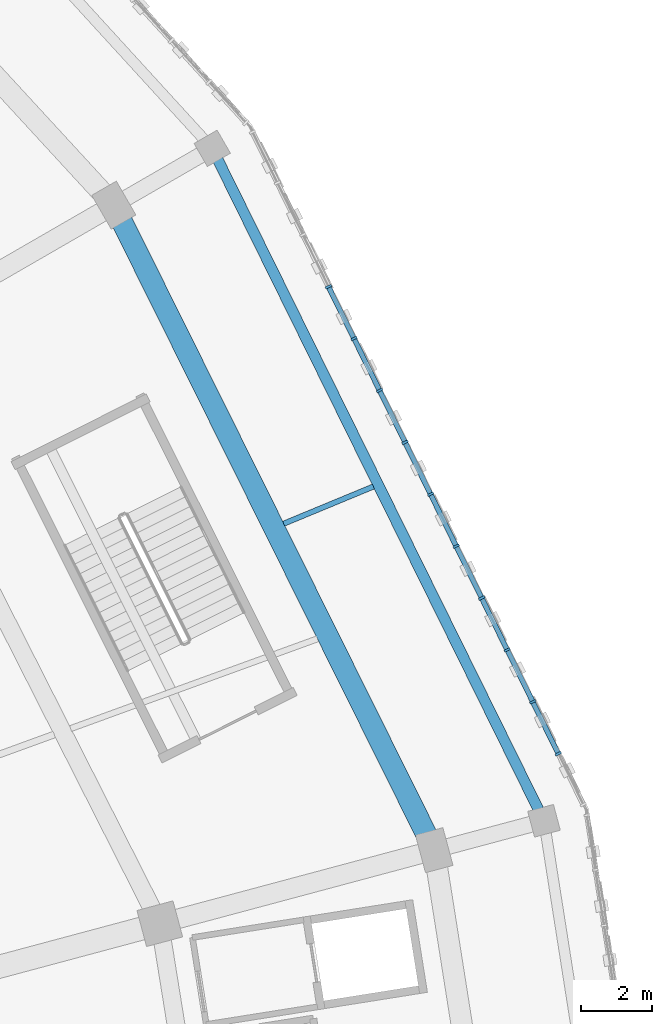
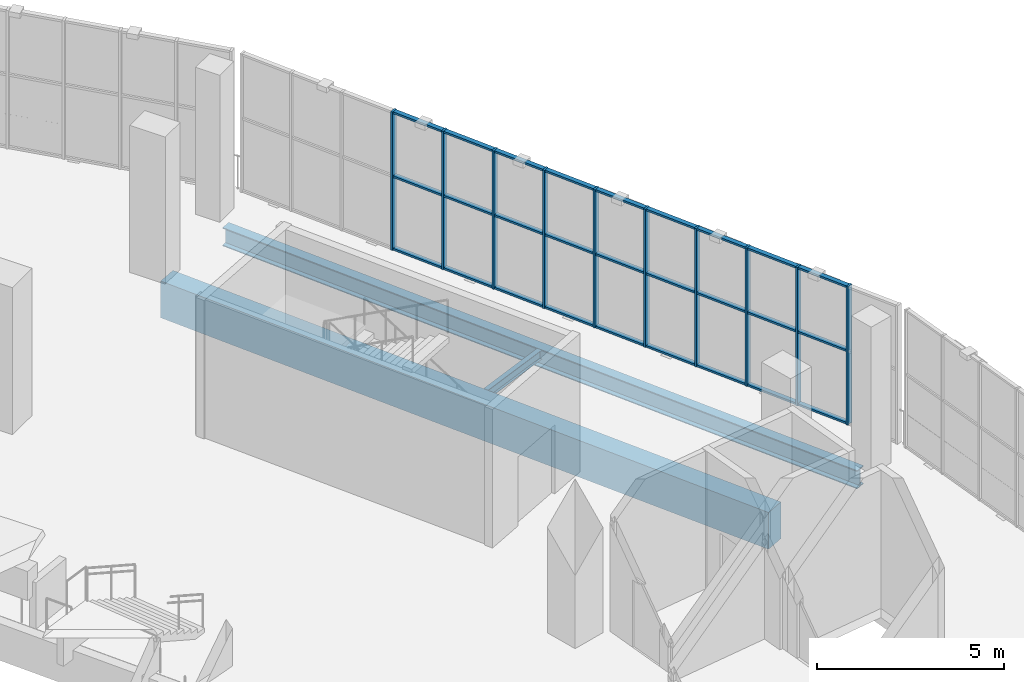
# One storey, part 42 of 183: 37 members, 3 beams, 1 element without a shape of its own.
"""IFC4 building model written with IfcOpenShell, lengths in metres."""

import ifcopenshell
import ifcopenshell.guid

model = None  # the IFC model being written
_history = None  # IfcOwnerHistory: only IFC2X3 demands one
_inside = {}  # id of a spatial element -> (the spatial element, [elements in it])
_under = {}  # id of a project, library or spatial element -> (it, [spatial elements below it])
_declared = {}  # id of a project -> (the project, [libraries it declares])
_typed = {}  # id of a type object -> (the type object, [elements of that type])
_made_of = {}  # id of a material, layer set ... -> (it, [elements and type objects made of it])


def new_model(schema):
    """Start an empty IFC model of exactly this schema.

    Asked for "IFC4X3", IfcOpenShell would pick the latest addendum, in which some entities
    have other attributes; the version numbers below select the first issue.
    IFC2X3 requires an IfcOwnerHistory on every rooted entity: one is made here for all.
    """
    global model, _history
    if schema == "IFC4X3":
        model = ifcopenshell.file(schema_version=(4, 3, 0, 0))
    else:
        model = ifcopenshell.file(schema=schema)
    _inside.clear()
    _under.clear()
    _declared.clear()
    _typed.clear()
    _made_of.clear()
    _history = None
    if model.schema == "IFC2X3":
        org = make("IfcOrganization", Name="unknown")
        user = make(
            "IfcPersonAndOrganization",
            ThePerson=make("IfcPerson", FamilyName="unknown"),
            TheOrganization=org,
        )
        app = make(
            "IfcApplication",
            ApplicationDeveloper=org,
            Version="unknown",
            ApplicationFullName="unknown",
            ApplicationIdentifier="unknown",
        )
        _history = make(
            "IfcOwnerHistory",
            OwningUser=user,
            OwningApplication=app,
            ChangeAction="ADDED",
            CreationDate=0,
        )
    return model


def make(cls, **values):
    """One entity of the class cls with the attributes given. An attribute that is None is left unset."""
    return model.create_entity(
        cls, **{name: value for name, value in values.items() if value is not None}
    )


def rooted(cls, **values):
    """An entity with a GlobalId (a new one), such as an element, a storey or a relation."""
    return make(cls, GlobalId=ifcopenshell.guid.new(), OwnerHistory=_history, **values)


def si_unit(unit_type, name, prefix=None):
    """IfcSIUnit, for example si_unit("LENGTHUNIT", "METRE", prefix="MILLI")."""
    return make("IfcSIUnit", UnitType=unit_type, Prefix=prefix, Name=name)


def assignment(units):
    """IfcUnitAssignment: the units of a project."""
    return None if units is None else make("IfcUnitAssignment", Units=units)


def point(xyz):
    """IfcCartesianPoint."""
    return None if xyz is None else make("IfcCartesianPoint", Coordinates=xyz)


def direction(xyz):
    """IfcDirection."""
    return None if xyz is None else make("IfcDirection", DirectionRatios=xyz)


def frame(location, z_axis=None, x_axis=None):
    """IfcAxis2Placement3D, a coordinate frame: its origin and axes. An axis left out is left unset."""
    return make(
        "IfcAxis2Placement3D",
        Location=point(location),
        Axis=direction(z_axis),
        RefDirection=direction(x_axis),
    )


def frame_2d(location, x_axis=None):
    """IfcAxis2Placement2D, a coordinate frame in the plane: its origin and x axis."""
    return make(
        "IfcAxis2Placement2D", Location=point(location), RefDirection=direction(x_axis)
    )


def origin():
    """The frame at (0, 0, 0) with its axes left unset."""
    return frame((0.0, 0.0, 0.0))


def origin_2d():
    """The frame at (0, 0) in the plane with its x axis left unset."""
    return frame_2d((0.0, 0.0))


def place(relative_to, where):
    """IfcLocalPlacement: puts the frame where relative to a parent placement (None: the world)."""
    return make(
        "IfcLocalPlacement", PlacementRelTo=relative_to, RelativePlacement=where
    )


def context(
    kind, dimensions, precision=None, world=None, true_north=None, identifier=None
):
    """IfcGeometricRepresentationContext, for example the 3D "Model" context."""
    return make(
        "IfcGeometricRepresentationContext",
        ContextIdentifier=identifier,
        ContextType=kind,
        CoordinateSpaceDimension=dimensions,
        Precision=precision,
        WorldCoordinateSystem=world,
        TrueNorth=true_north,
    )


def subcontext(parent, identifier, kind, view, scale=None):
    """IfcGeometricRepresentationSubContext, for example "Body" below "Model"."""
    return make(
        "IfcGeometricRepresentationSubContext",
        ContextIdentifier=identifier,
        ContextType=kind,
        ParentContext=parent,
        TargetScale=scale,
        TargetView=view,
    )


def project(units=None, contexts=None):
    """IfcProject with its units and contexts."""
    return rooted(
        "IfcProject",
        Name="project",
        RepresentationContexts=contexts,
        UnitsInContext=assignment(units),
    )


def spatial(cls, under=None, at=None, **own):
    """A site, building, storey or space (cls), placed at a placement, below another one or the project."""
    s = rooted(cls, ObjectPlacement=at, **own)
    if under is not None:
        _under.setdefault(under.id(), (under, []))[1].append(s)
    return s


def profile(cls, at=None, kind="AREA", **sizes):
    """A parametric profile (cls). Its sizes go by their IFC names, for example OverallWidth=200.0."""
    return make(cls, ProfileType=kind, Position=at, **sizes)


def rectangle(**sizes):
    """IfcRectangleProfileDef."""
    return profile("IfcRectangleProfileDef", **sizes)


def i_section(**sizes):
    """IfcIShapeProfileDef."""
    return profile("IfcIShapeProfileDef", **sizes)


def extrude(swept, where, along, depth):
    """IfcExtrudedAreaSolid: the profile swept, set in the frame where, extruded along a direction by depth."""
    return make(
        "IfcExtrudedAreaSolid",
        SweptArea=swept,
        Position=where,
        ExtrudedDirection=direction(along),
        Depth=depth,
    )


def shape(context_of_items, identifier, shape_type, items):
    """IfcShapeRepresentation: the items that make up one representation, for example the "Body"."""
    return make(
        "IfcShapeRepresentation",
        ContextOfItems=context_of_items,
        RepresentationIdentifier=identifier,
        RepresentationType=shape_type,
        Items=items,
    )


def material(Name=None, Category=None):
    """IfcMaterial."""
    return make("IfcMaterial", Name=Name, Category=Category)


def material_profile(
    of_material, cross_section, Name=None, Category=None, Priority=None
):
    """IfcMaterialProfile: a cross section and its material."""
    return make(
        "IfcMaterialProfile",
        Name=Name,
        Material=of_material,
        Profile=cross_section,
        Priority=Priority,
        Category=Category,
    )


def profile_set(profiles, Name=None, composite=None):
    """IfcMaterialProfileSet."""
    return make(
        "IfcMaterialProfileSet",
        Name=Name,
        MaterialProfiles=profiles,
        CompositeProfile=composite,
    )


def made_of(thing, what):
    """Note that an element or type object is made of a material, layer set ...; save() writes the relation."""
    if what is not None:
        _made_of.setdefault(what.id(), (what, []))[1].append(thing)
    return thing


def type_object(cls, material=None, **own):
    """A type object (cls), such as IfcWallType, which elements share."""
    return made_of(rooted(cls, **own), material)


def element(
    cls,
    number,
    at=None,
    inside=None,
    cuts=None,
    type_object=None,
    material=None,
    context=None,
    identifier="Body",
    shape_type=None,
    held_by="IfcProductDefinitionShape",
    body=None,
    shapes=None,
    **own,
):
    """One element of the class cls, such as IfcWall. Its Tag is "e" and its number.

    at: its placement. inside: the storey or other place that contains it. cuts: it is an
    opening in that element (IfcRelVoidsElement). A single representation is given by context,
    identifier, shape_type and body (its items); several are given by shapes. held_by: the class
    of the entity that holds the representations. save() writes the other relations.
    """
    e = rooted(cls, Tag="e%d" % number, ObjectPlacement=at, **own)
    if body is not None:
        shapes = [shape(context, identifier, shape_type, body)]
    if shapes is not None:
        e.Representation = make(held_by, Representations=shapes)
    if inside is not None:
        _inside.setdefault(inside.id(), (inside, []))[1].append(e)
    if cuts is not None:
        rooted(
            "IfcRelVoidsElement", RelatingBuildingElement=cuts, RelatedOpeningElement=e
        )
    if type_object is not None:
        _typed.setdefault(type_object.id(), (type_object, []))[1].append(e)
    return made_of(e, material)


def aggregate(whole, parts):
    """IfcRelAggregates: a whole, such as a stair, and the parts it consists of."""
    return rooted("IfcRelAggregates", RelatingObject=whole, RelatedObjects=parts)


def save(model, path):
    """Write the relations noted so far, then the file.

    IfcRelAggregates (storeys below a building ...), IfcRelContainedInSpatialStructure (elements
    in a storey), IfcRelDefinesByType, IfcRelAssociatesMaterial and IfcRelDeclares: one each for
    every whole, place, type object, material and project.
    """
    for whole, parts in _under.values():
        aggregate(whole, parts)
    for where, things in _inside.values():
        rooted(
            "IfcRelContainedInSpatialStructure",
            RelatedElements=things,
            RelatingStructure=where,
        )
    for kind, things in _typed.values():
        rooted("IfcRelDefinesByType", RelatedObjects=things, RelatingType=kind)
    for what, things in _made_of.values():
        rooted("IfcRelAssociatesMaterial", RelatedObjects=things, RelatingMaterial=what)
    for by, libraries in _declared.values():
        rooted("IfcRelDeclares", RelatingContext=by, RelatedDefinitions=libraries)
    model.write(path)


model = new_model("IFC4")

# Units and contexts
model_context = context("Model", 3, precision=1e-05, world=origin(), true_north=direction((0.0, 1.0)))
body_context = subcontext(model_context, "Body", "Model", "MODEL_VIEW")
ifc_project = project(units=[si_unit("LENGTHUNIT", "METRE"), si_unit("AREAUNIT", "SQUARE_METRE"), si_unit("VOLUMEUNIT", "CUBIC_METRE"), si_unit("PLANEANGLEUNIT", "RADIAN"), si_unit("MASSUNIT", "GRAM", prefix="KILO")], contexts=[model_context])

# Site, building, storey
site_placement = place(None, origin())
site = spatial("IfcSite", under=ifc_project, at=site_placement, CompositionType="ELEMENT")
building_placement = place(site_placement, origin())
building = spatial("IfcBuilding", under=site, at=building_placement, Name="Zevraka Park Crest Stadium", CompositionType="ELEMENT")
storey_placement = place(building_placement, frame((0.0, 0.0, 5.39990234375)))
storey = spatial("IfcBuildingStorey", under=building, at=storey_placement, Name="L01", CompositionType="ELEMENT", Elevation=5.39990234375)

# Curtain wall, members
ifc_material_1 = material(Name="Anodised architectural aluminium and laminated safety glass", Category="aluminium")
curtain_wall_type = type_object("IfcCurtainWallType", Name="CW02", PredefinedType="NOTDEFINED", material=ifc_material_1)
curtain_wall_placement = place(storey_placement, origin())
curtain_wall = element("IfcCurtainWall", 1, at=curtain_wall_placement, inside=storey, type_object=curtain_wall_type, Name="Unitised Ring Curtain Wall CW02 L01-01", PredefinedType="NOTDEFINED")
ifc_material_2 = material(Name="Anodised architectural aluminium", Category="aluminium")
ifc_material_profile_1 = material_profile(ifc_material_2, rectangle(XDim=0.179931640625, YDim=0.06494140625, at=origin_2d()), Name="ALU MULLION 180x65")
ifc_profile_set_1 = profile_set([ifc_material_profile_1], Name="Anodised architectural aluminium")
member_type_1 = type_object("IfcMemberType", Name="CM02", PredefinedType="MULLION", material=ifc_profile_set_1)
member_1_placement = place(storey_placement, frame((202.717041015625, 114.205078125, 0.0), z_axis=(0.0, 0.0, 1.0), x_axis=(-0.897252732312, -0.44151730924, 0.0)))
member_1 = element("IfcMember", 2, at=member_1_placement, type_object=member_type_1, Name="CW02 mullion 2", PredefinedType="MULLION", context=body_context, shape_type="SweptSolid", body=[
    extrude(rectangle(XDim=0.179931640625, YDim=0.06494140625, at=origin_2d()), origin(), (0.0, 0.0, 1.0), 4.52001953125),
])
member_2_placement = place(storey_placement, frame((201.998046875, 115.666259765625, 0.0), z_axis=(0.0, 0.0, 1.0), x_axis=(-0.897252732312, -0.44151730924, 0.0)))
member_2 = element("IfcMember", 3, at=member_2_placement, type_object=member_type_1, Name="CW02 mullion 3", PredefinedType="MULLION", context=body_context, shape_type="SweptSolid", body=[
    extrude(rectangle(XDim=0.179931640625, YDim=0.06494140625, at=origin_2d()), origin(), (0.0, 0.0, 1.0), 4.52001953125),
])
member_3_placement = place(storey_placement, frame((201.279052734375, 117.12744140625, 0.0), z_axis=(0.0, 0.0, 1.0), x_axis=(-0.897252732312, -0.44151730924, 0.0)))
member_3 = element("IfcMember", 4, at=member_3_placement, type_object=member_type_1, Name="CW02 mullion 4", PredefinedType="MULLION", context=body_context, shape_type="SweptSolid", body=[
    extrude(rectangle(XDim=0.179931640625, YDim=0.06494140625, at=origin_2d()), origin(), (0.0, 0.0, 1.0), 4.52001953125),
])
member_4_placement = place(storey_placement, frame((200.56005859375, 118.588623046875, 0.0), z_axis=(0.0, 0.0, 1.0), x_axis=(-0.897252732312, -0.44151730924, 0.0)))
member_4 = element("IfcMember", 5, at=member_4_placement, type_object=member_type_1, Name="CW02 mullion 5", PredefinedType="MULLION", context=body_context, shape_type="SweptSolid", body=[
    extrude(rectangle(XDim=0.179931640625, YDim=0.06494140625, at=origin_2d()), origin(), (0.0, 0.0, 1.0), 4.52001953125),
])
member_5_placement = place(storey_placement, frame((199.841064453125, 120.0498046875, 0.0), z_axis=(0.0, 0.0, 1.0), x_axis=(-0.897252732312, -0.44151730924, 0.0)))
member_5 = element("IfcMember", 6, at=member_5_placement, type_object=member_type_1, Name="CW02 mullion 6", PredefinedType="MULLION", context=body_context, shape_type="SweptSolid", body=[
    extrude(rectangle(XDim=0.179931640625, YDim=0.06494140625, at=origin_2d()), origin(), (0.0, 0.0, 1.0), 4.52001953125),
])
member_6_placement = place(storey_placement, frame((199.1220703125, 121.510986328125, 0.0), z_axis=(0.0, 0.0, 1.0), x_axis=(-0.897252732312, -0.44151730924, 0.0)))
member_6 = element("IfcMember", 7, at=member_6_placement, type_object=member_type_1, Name="CW02 mullion 7", PredefinedType="MULLION", context=body_context, shape_type="SweptSolid", body=[
    extrude(rectangle(XDim=0.179931640625, YDim=0.06494140625, at=origin_2d()), origin(), (0.0, 0.0, 1.0), 4.52001953125),
])
member_7_placement = place(storey_placement, frame((198.403076171875, 122.97216796875, 0.0), z_axis=(0.0, 0.0, 1.0), x_axis=(-0.897252732312, -0.44151730924, 0.0)))
member_7 = element("IfcMember", 8, at=member_7_placement, type_object=member_type_1, Name="CW02 mullion 8", PredefinedType="MULLION", context=body_context, shape_type="SweptSolid", body=[
    extrude(rectangle(XDim=0.179931640625, YDim=0.06494140625, at=origin_2d()), origin(), (0.0, 0.0, 1.0), 4.52001953125),
])
member_8_placement = place(storey_placement, frame((197.68408203125, 124.433349609375, 0.0), z_axis=(0.0, 0.0, 1.0), x_axis=(-0.897252732312, -0.44151730924, 0.0)))
member_8 = element("IfcMember", 9, at=member_8_placement, type_object=member_type_1, Name="CW02 mullion 9", PredefinedType="MULLION", context=body_context, shape_type="SweptSolid", body=[
    extrude(rectangle(XDim=0.179931640625, YDim=0.06494140625, at=origin_2d()), origin(), (0.0, 0.0, 1.0), 4.52001953125),
])
member_9_placement = place(storey_placement, frame((196.965087890625, 125.894287109375, 0.0), z_axis=(0.0, 0.0, 1.0), x_axis=(-0.897252732312, -0.44151730924, 0.0)))
member_9 = element("IfcMember", 10, at=member_9_placement, type_object=member_type_1, Name="CW02 mullion 10", PredefinedType="MULLION", context=body_context, shape_type="SweptSolid", body=[
    extrude(rectangle(XDim=0.179931640625, YDim=0.06494140625, at=origin_2d()), origin(), (0.0, 0.0, 1.0), 4.52001953125),
])
member_10_placement = place(storey_placement, frame((196.24609375, 127.35546875, 0.0), z_axis=(0.0, 0.0, 1.0), x_axis=(-0.897252732312, -0.44151730924, 0.0)))
member_10 = element("IfcMember", 11, at=member_10_placement, type_object=member_type_1, Name="CW02 mullion 11", PredefinedType="MULLION", context=body_context, shape_type="SweptSolid", body=[
    extrude(rectangle(XDim=0.179931640625, YDim=0.06494140625, at=origin_2d()), origin(), (0.0, 0.0, 1.0), 4.52001953125),
])
ifc_material_3 = material(Name="Anodised architectural aluminium", Category="aluminium")
ifc_material_profile_2 = material_profile(ifc_material_3, rectangle(XDim=0.139892578125, YDim=0.06494140625, at=origin_2d()), Name="ALU TRANSOM 140x65")
ifc_profile_set_2 = profile_set([ifc_material_profile_2], Name="Anodised architectural aluminium")
member_type_2 = type_object("IfcMemberType", Name="CT02", PredefinedType="USERDEFINED", material=ifc_profile_set_2)
member_11_placement = place(storey_placement, frame((202.70263671875, 114.234375, 0.03271484375), z_axis=(-0.441457762434, 0.897282031463, 0.0), x_axis=(-0.897282031463, -0.441457762434, 0.0)))
member_11 = element("IfcMember", 12, at=member_11_placement, type_object=member_type_2, Name="CW02 transom 2.1", ObjectType="TRANSOM", PredefinedType="USERDEFINED", context=body_context, shape_type="SweptSolid", body=[
    extrude(rectangle(XDim=0.139892578125, YDim=0.06494140625, at=origin_2d()), origin(), (0.0, 0.0, 1.0), 1.5634765625),
])
member_12_placement = place(storey_placement, frame((202.70263671875, 114.234375, 2.400146484375), z_axis=(-0.441457762434, 0.897282031463, 0.0), x_axis=(-0.897282031463, -0.441457762434, 0.0)))
member_12 = element("IfcMember", 13, at=member_12_placement, type_object=member_type_2, Name="CW02 transom 2.2", ObjectType="TRANSOM", PredefinedType="USERDEFINED", context=body_context, shape_type="SweptSolid", body=[
    extrude(rectangle(XDim=0.139892578125, YDim=0.06494140625, at=origin_2d()), origin(), (0.0, 0.0, 1.0), 1.5634765625),
])
member_13_placement = place(storey_placement, frame((202.70263671875, 114.234375, 4.487548828125), z_axis=(-0.441457762434, 0.897282031463, 0.0), x_axis=(-0.897282031463, -0.441457762434, 0.0)))
member_13 = element("IfcMember", 14, at=member_13_placement, type_object=member_type_2, Name="CW02 transom 2.3", ObjectType="TRANSOM", PredefinedType="USERDEFINED", context=body_context, shape_type="SweptSolid", body=[
    extrude(rectangle(XDim=0.139892578125, YDim=0.06494140625, at=origin_2d()), origin(), (0.0, 0.0, 1.0), 1.5634765625),
])
member_14_placement = place(storey_placement, frame((201.983642578125, 115.695556640625, 0.03271484375), z_axis=(-0.441457762434, 0.897282031463, 0.0), x_axis=(-0.897282031463, -0.441457762434, 0.0)))
member_14 = element("IfcMember", 15, at=member_14_placement, type_object=member_type_2, Name="CW02 transom 3.1", ObjectType="TRANSOM", PredefinedType="USERDEFINED", context=body_context, shape_type="SweptSolid", body=[
    extrude(rectangle(XDim=0.139892578125, YDim=0.06494140625, at=origin_2d()), origin(), (0.0, 0.0, 1.0), 1.5634765625),
])
member_15_placement = place(storey_placement, frame((201.983642578125, 115.695556640625, 2.400146484375), z_axis=(-0.441457762434, 0.897282031463, 0.0), x_axis=(-0.897282031463, -0.441457762434, 0.0)))
member_15 = element("IfcMember", 16, at=member_15_placement, type_object=member_type_2, Name="CW02 transom 3.2", ObjectType="TRANSOM", PredefinedType="USERDEFINED", context=body_context, shape_type="SweptSolid", body=[
    extrude(rectangle(XDim=0.139892578125, YDim=0.06494140625, at=origin_2d()), origin(), (0.0, 0.0, 1.0), 1.5634765625),
])
member_16_placement = place(storey_placement, frame((201.983642578125, 115.695556640625, 4.487548828125), z_axis=(-0.441457762434, 0.897282031463, 0.0), x_axis=(-0.897282031463, -0.441457762434, 0.0)))
member_16 = element("IfcMember", 17, at=member_16_placement, type_object=member_type_2, Name="CW02 transom 3.3", ObjectType="TRANSOM", PredefinedType="USERDEFINED", context=body_context, shape_type="SweptSolid", body=[
    extrude(rectangle(XDim=0.139892578125, YDim=0.06494140625, at=origin_2d()), origin(), (0.0, 0.0, 1.0), 1.5634765625),
])
member_17_placement = place(storey_placement, frame((201.2646484375, 117.15673828125, 0.03271484375), z_axis=(-0.441457762434, 0.897282031463, 0.0), x_axis=(-0.897282031463, -0.441457762434, 0.0)))
member_17 = element("IfcMember", 18, at=member_17_placement, type_object=member_type_2, Name="CW02 transom 4.1", ObjectType="TRANSOM", PredefinedType="USERDEFINED", context=body_context, shape_type="SweptSolid", body=[
    extrude(rectangle(XDim=0.139892578125, YDim=0.06494140625, at=origin_2d()), origin(), (0.0, 0.0, 1.0), 1.5634765625),
])
member_18_placement = place(storey_placement, frame((201.2646484375, 117.15673828125, 2.400146484375), z_axis=(-0.441457762434, 0.897282031463, 0.0), x_axis=(-0.897282031463, -0.441457762434, 0.0)))
member_18 = element("IfcMember", 19, at=member_18_placement, type_object=member_type_2, Name="CW02 transom 4.2", ObjectType="TRANSOM", PredefinedType="USERDEFINED", context=body_context, shape_type="SweptSolid", body=[
    extrude(rectangle(XDim=0.139892578125, YDim=0.06494140625, at=origin_2d()), origin(), (0.0, 0.0, 1.0), 1.5634765625),
])
member_19_placement = place(storey_placement, frame((201.2646484375, 117.15673828125, 4.487548828125), z_axis=(-0.441457762434, 0.897282031463, 0.0), x_axis=(-0.897282031463, -0.441457762434, 0.0)))
member_19 = element("IfcMember", 20, at=member_19_placement, type_object=member_type_2, Name="CW02 transom 4.3", ObjectType="TRANSOM", PredefinedType="USERDEFINED", context=body_context, shape_type="SweptSolid", body=[
    extrude(rectangle(XDim=0.139892578125, YDim=0.06494140625, at=origin_2d()), origin(), (0.0, 0.0, 1.0), 1.5634765625),
])
member_20_placement = place(storey_placement, frame((200.545654296875, 118.61767578125, 0.03271484375), z_axis=(-0.441457762434, 0.897282031463, 0.0), x_axis=(-0.897282031463, -0.441457762434, 0.0)))
member_20 = element("IfcMember", 21, at=member_20_placement, type_object=member_type_2, Name="CW02 transom 5.1", ObjectType="TRANSOM", PredefinedType="USERDEFINED", context=body_context, shape_type="SweptSolid", body=[
    extrude(rectangle(XDim=0.139892578125, YDim=0.06494140625, at=origin_2d()), origin(), (0.0, 0.0, 1.0), 1.5634765625),
])
member_21_placement = place(storey_placement, frame((200.545654296875, 118.61767578125, 2.400146484375), z_axis=(-0.441457762434, 0.897282031463, 0.0), x_axis=(-0.897282031463, -0.441457762434, 0.0)))
member_21 = element("IfcMember", 22, at=member_21_placement, type_object=member_type_2, Name="CW02 transom 5.2", ObjectType="TRANSOM", PredefinedType="USERDEFINED", context=body_context, shape_type="SweptSolid", body=[
    extrude(rectangle(XDim=0.139892578125, YDim=0.06494140625, at=origin_2d()), origin(), (0.0, 0.0, 1.0), 1.5634765625),
])
member_22_placement = place(storey_placement, frame((200.545654296875, 118.61767578125, 4.487548828125), z_axis=(-0.441457762434, 0.897282031463, 0.0), x_axis=(-0.897282031463, -0.441457762434, 0.0)))
member_22 = element("IfcMember", 23, at=member_22_placement, type_object=member_type_2, Name="CW02 transom 5.3", ObjectType="TRANSOM", PredefinedType="USERDEFINED", context=body_context, shape_type="SweptSolid", body=[
    extrude(rectangle(XDim=0.139892578125, YDim=0.06494140625, at=origin_2d()), origin(), (0.0, 0.0, 1.0), 1.5634765625),
])
member_23_placement = place(storey_placement, frame((199.82666015625, 120.078857421875, 0.03271484375), z_axis=(-0.441583474331, 0.897220170971, 0.0), x_axis=(-0.897220170971, -0.441583474331, 0.0)))
member_23 = element("IfcMember", 24, at=member_23_placement, type_object=member_type_2, Name="CW02 transom 6.1", ObjectType="TRANSOM", PredefinedType="USERDEFINED", context=body_context, shape_type="SweptSolid", body=[
    extrude(rectangle(XDim=0.139892578125, YDim=0.06494140625, at=origin_2d()), origin(), (0.0, 0.0, 1.0), 1.5634765625),
])
member_24_placement = place(storey_placement, frame((199.82666015625, 120.078857421875, 2.400146484375), z_axis=(-0.441583474331, 0.897220170971, 0.0), x_axis=(-0.897220170971, -0.441583474331, 0.0)))
member_24 = element("IfcMember", 25, at=member_24_placement, type_object=member_type_2, Name="CW02 transom 6.2", ObjectType="TRANSOM", PredefinedType="USERDEFINED", context=body_context, shape_type="SweptSolid", body=[
    extrude(rectangle(XDim=0.139892578125, YDim=0.06494140625, at=origin_2d()), origin(), (0.0, 0.0, 1.0), 1.5634765625),
])
member_25_placement = place(storey_placement, frame((199.82666015625, 120.078857421875, 4.487548828125), z_axis=(-0.441583474331, 0.897220170971, 0.0), x_axis=(-0.897220170971, -0.441583474331, 0.0)))
member_25 = element("IfcMember", 26, at=member_25_placement, type_object=member_type_2, Name="CW02 transom 6.3", ObjectType="TRANSOM", PredefinedType="USERDEFINED", context=body_context, shape_type="SweptSolid", body=[
    extrude(rectangle(XDim=0.139892578125, YDim=0.06494140625, at=origin_2d()), origin(), (0.0, 0.0, 1.0), 1.5634765625),
])
member_26_placement = place(storey_placement, frame((199.107666015625, 121.5400390625, 0.03271484375), z_axis=(-0.441583474331, 0.897220170971, 0.0), x_axis=(-0.897220170971, -0.441583474331, 0.0)))
member_26 = element("IfcMember", 27, at=member_26_placement, type_object=member_type_2, Name="CW02 transom 7.1", ObjectType="TRANSOM", PredefinedType="USERDEFINED", context=body_context, shape_type="SweptSolid", body=[
    extrude(rectangle(XDim=0.139892578125, YDim=0.06494140625, at=origin_2d()), origin(), (0.0, 0.0, 1.0), 1.5634765625),
])
member_27_placement = place(storey_placement, frame((199.107666015625, 121.5400390625, 2.400146484375), z_axis=(-0.441583474331, 0.897220170971, 0.0), x_axis=(-0.897220170971, -0.441583474331, 0.0)))
member_27 = element("IfcMember", 28, at=member_27_placement, type_object=member_type_2, Name="CW02 transom 7.2", ObjectType="TRANSOM", PredefinedType="USERDEFINED", context=body_context, shape_type="SweptSolid", body=[
    extrude(rectangle(XDim=0.139892578125, YDim=0.06494140625, at=origin_2d()), origin(), (0.0, 0.0, 1.0), 1.5634765625),
])
member_28_placement = place(storey_placement, frame((199.107666015625, 121.5400390625, 4.487548828125), z_axis=(-0.441583474331, 0.897220170971, 0.0), x_axis=(-0.897220170971, -0.441583474331, 0.0)))
member_28 = element("IfcMember", 29, at=member_28_placement, type_object=member_type_2, Name="CW02 transom 7.3", ObjectType="TRANSOM", PredefinedType="USERDEFINED", context=body_context, shape_type="SweptSolid", body=[
    extrude(rectangle(XDim=0.139892578125, YDim=0.06494140625, at=origin_2d()), origin(), (0.0, 0.0, 1.0), 1.5634765625),
])
member_29_placement = place(storey_placement, frame((198.388671875, 123.001220703125, 0.03271484375), z_axis=(-0.441583474331, 0.897220170971, 0.0), x_axis=(-0.897220170971, -0.441583474331, 0.0)))
member_29 = element("IfcMember", 30, at=member_29_placement, type_object=member_type_2, Name="CW02 transom 8.1", ObjectType="TRANSOM", PredefinedType="USERDEFINED", context=body_context, shape_type="SweptSolid", body=[
    extrude(rectangle(XDim=0.139892578125, YDim=0.06494140625, at=origin_2d()), origin(), (0.0, 0.0, 1.0), 1.5634765625),
])
member_30_placement = place(storey_placement, frame((198.388671875, 123.001220703125, 2.400146484375), z_axis=(-0.441583474331, 0.897220170971, 0.0), x_axis=(-0.897220170971, -0.441583474331, 0.0)))
member_30 = element("IfcMember", 31, at=member_30_placement, type_object=member_type_2, Name="CW02 transom 8.2", ObjectType="TRANSOM", PredefinedType="USERDEFINED", context=body_context, shape_type="SweptSolid", body=[
    extrude(rectangle(XDim=0.139892578125, YDim=0.06494140625, at=origin_2d()), origin(), (0.0, 0.0, 1.0), 1.5634765625),
])
member_31_placement = place(storey_placement, frame((198.388671875, 123.001220703125, 4.487548828125), z_axis=(-0.441583474331, 0.897220170971, 0.0), x_axis=(-0.897220170971, -0.441583474331, 0.0)))
member_31 = element("IfcMember", 32, at=member_31_placement, type_object=member_type_2, Name="CW02 transom 8.3", ObjectType="TRANSOM", PredefinedType="USERDEFINED", context=body_context, shape_type="SweptSolid", body=[
    extrude(rectangle(XDim=0.139892578125, YDim=0.06494140625, at=origin_2d()), origin(), (0.0, 0.0, 1.0), 1.5634765625),
])
member_32_placement = place(storey_placement, frame((197.669677734375, 124.46240234375, 0.03271484375), z_axis=(-0.441583474331, 0.897220170971, 0.0), x_axis=(-0.897220170971, -0.441583474331, 0.0)))
member_32 = element("IfcMember", 33, at=member_32_placement, type_object=member_type_2, Name="CW02 transom 9.1", ObjectType="TRANSOM", PredefinedType="USERDEFINED", context=body_context, shape_type="SweptSolid", body=[
    extrude(rectangle(XDim=0.139892578125, YDim=0.06494140625, at=origin_2d()), origin(), (0.0, 0.0, 1.0), 1.5634765625),
])
member_33_placement = place(storey_placement, frame((197.669677734375, 124.46240234375, 2.400146484375), z_axis=(-0.441583474331, 0.897220170971, 0.0), x_axis=(-0.897220170971, -0.441583474331, 0.0)))
member_33 = element("IfcMember", 34, at=member_33_placement, type_object=member_type_2, Name="CW02 transom 9.2", ObjectType="TRANSOM", PredefinedType="USERDEFINED", context=body_context, shape_type="SweptSolid", body=[
    extrude(rectangle(XDim=0.139892578125, YDim=0.06494140625, at=origin_2d()), origin(), (0.0, 0.0, 1.0), 1.5634765625),
])
member_34_placement = place(storey_placement, frame((197.669677734375, 124.46240234375, 4.487548828125), z_axis=(-0.441583474331, 0.897220170971, 0.0), x_axis=(-0.897220170971, -0.441583474331, 0.0)))
member_34 = element("IfcMember", 35, at=member_34_placement, type_object=member_type_2, Name="CW02 transom 9.3", ObjectType="TRANSOM", PredefinedType="USERDEFINED", context=body_context, shape_type="SweptSolid", body=[
    extrude(rectangle(XDim=0.139892578125, YDim=0.06494140625, at=origin_2d()), origin(), (0.0, 0.0, 1.0), 1.5634765625),
])
member_35_placement = place(storey_placement, frame((196.95068359375, 125.923583984375, 0.03271484375), z_axis=(-0.441583474331, 0.897220170971, 0.0), x_axis=(-0.897220170971, -0.441583474331, 0.0)))
member_35 = element("IfcMember", 36, at=member_35_placement, type_object=member_type_2, Name="CW02 transom 10.1", ObjectType="TRANSOM", PredefinedType="USERDEFINED", context=body_context, shape_type="SweptSolid", body=[
    extrude(rectangle(XDim=0.139892578125, YDim=0.06494140625, at=origin_2d()), origin(), (0.0, 0.0, 1.0), 1.5634765625),
])
member_36_placement = place(storey_placement, frame((196.95068359375, 125.923583984375, 2.400146484375), z_axis=(-0.441583474331, 0.897220170971, 0.0), x_axis=(-0.897220170971, -0.441583474331, 0.0)))
member_36 = element("IfcMember", 37, at=member_36_placement, type_object=member_type_2, Name="CW02 transom 10.2", ObjectType="TRANSOM", PredefinedType="USERDEFINED", context=body_context, shape_type="SweptSolid", body=[
    extrude(rectangle(XDim=0.139892578125, YDim=0.06494140625, at=origin_2d()), origin(), (0.0, 0.0, 1.0), 1.5634765625),
])
member_37_placement = place(storey_placement, frame((196.95068359375, 125.923583984375, 4.487548828125), z_axis=(-0.441583474331, 0.897220170971, 0.0), x_axis=(-0.897220170971, -0.441583474331, 0.0)))
member_37 = element("IfcMember", 38, at=member_37_placement, type_object=member_type_2, Name="CW02 transom 10.3", ObjectType="TRANSOM", PredefinedType="USERDEFINED", context=body_context, shape_type="SweptSolid", body=[
    extrude(rectangle(XDim=0.139892578125, YDim=0.06494140625, at=origin_2d()), origin(), (0.0, 0.0, 1.0), 1.5634765625),
])
aggregate(curtain_wall, [member_1, member_2, member_3, member_4, member_5, member_6, member_7, member_8, member_9, member_10, member_11, member_12, member_13, member_14, member_15, member_16, member_17, member_18, member_19, member_20, member_21, member_22, member_23, member_24, member_25, member_26, member_27, member_28, member_29, member_30, member_31, member_32, member_33, member_34, member_35, member_36, member_37])

# Beams
ifc_material_4 = material(Name="Concrete C40/50", Category="concrete")
ifc_material_profile_3 = material_profile(ifc_material_4, rectangle(XDim=0.60009765625, YDim=1.199951171875, at=origin_2d()), Name="RC 1200x600")
ifc_profile_set_3 = profile_set([ifc_material_profile_3], Name="Concrete C40/50")
beam_type_1 = type_object("IfcBeamType", Name="RB01", PredefinedType="BEAM", material=ifc_profile_set_3)
beam_1_placement = place(storey_placement, frame((199.053955078125, 111.8291015625, -0.60986328125), z_axis=(-0.444850507814, 0.895604837916, 0.0), x_axis=(-0.895604837916, -0.444850507814, 0.0)))
element("IfcBeam", 39, at=beam_1_placement, inside=storey, type_object=beam_type_1, Name="Ring Beam RB01 L01-D-01", PredefinedType="BEAM", context=body_context, shape_type="SweptSolid", body=[
    extrude(rectangle(XDim=0.60009765625, YDim=1.199951171875, at=origin_2d()), origin(), (0.0, 0.0, 1.0), 19.5185546875),
])
ifc_material_5 = material(Name="Steel S355", Category="steel")
ifc_material_profile_4 = material_profile(ifc_material_5, i_section(OverallWidth=0.300048828125, OverallDepth=0.60009765625, WebThickness=0.015380859375, FlangeThickness=0.030029296875, at=origin_2d()), Name="HEB 600")
ifc_profile_set_4 = profile_set([ifc_material_profile_4], Name="Steel S355")
beam_type_2 = type_object("IfcBeamType", Name="RB03", PredefinedType="BEAM", material=ifc_profile_set_4)
beam_2_placement = place(storey_placement, frame((202.158935546875, 112.631103515625, -0.60498046875), z_axis=(-0.442446810597, 0.896794747862, 0.0), x_axis=(-0.896794747862, -0.442446810597, 0.0)))
element("IfcBeam", 40, at=beam_2_placement, inside=storey, type_object=beam_type_2, Name="Ring Beam RB03 L01-E-01", PredefinedType="BEAM", context=body_context, shape_type="SweptSolid", body=[
    extrude(i_section(OverallWidth=0.300048828125, OverallDepth=0.60009765625, WebThickness=0.015380859375, FlangeThickness=0.030029296875, at=origin_2d()), origin(), (0.0, 0.0, 1.0), 20.41162109375),
])
ifc_material_6 = material(Name="Steel S355", Category="steel")
ifc_material_profile_5 = material_profile(ifc_material_6, i_section(OverallWidth=0.14990234375, OverallDepth=0.300048828125, WebThickness=0.007080078125, FlangeThickness=0.0107421875, at=origin_2d()), Name="IPE 300")
ifc_profile_set_5 = profile_set([ifc_material_profile_5], Name="Steel S355")
beam_type_3 = type_object("IfcBeamType", Name="SJ01", PredefinedType="JOIST", material=ifc_profile_set_5)
beam_3_placement = place(storey_placement, frame((194.985107421875, 120.681884765625, -0.4580078125), z_axis=(0.923841523408, 0.382775181571, 0.0), x_axis=(-0.382775181571, 0.923841523408, 0.0)))
element("IfcBeam", 41, at=beam_3_placement, inside=storey, type_object=beam_type_3, Name="Floor Joist SJ01 L01-DE-01-1", PredefinedType="JOIST", context=body_context, shape_type="SweptSolid", body=[
    extrude(i_section(OverallWidth=0.14990234375, OverallDepth=0.300048828125, WebThickness=0.007080078125, FlangeThickness=0.0107421875, at=origin_2d()), origin(), (0.0, 0.0, 1.0), 2.733154296875),
])

save(model, "model.ifc")
